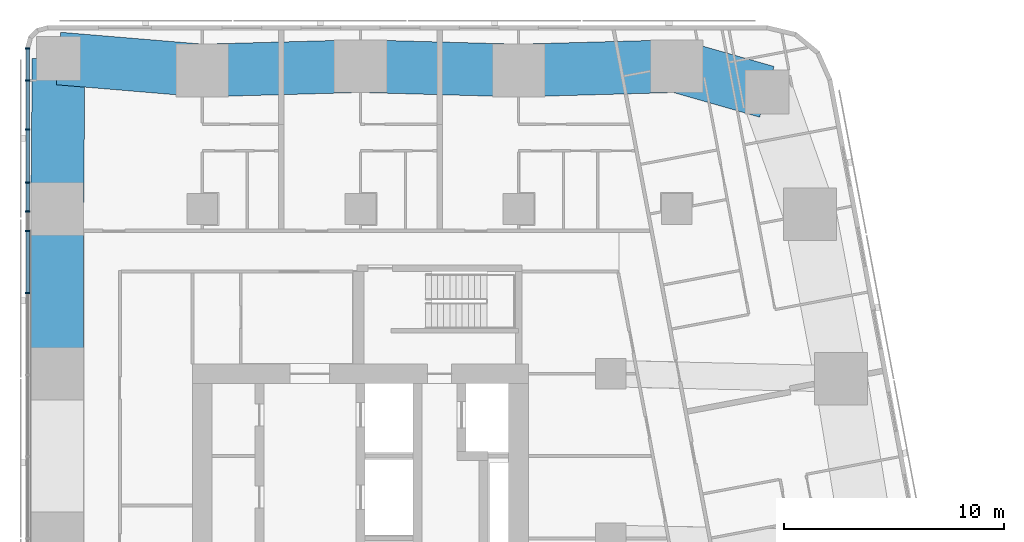
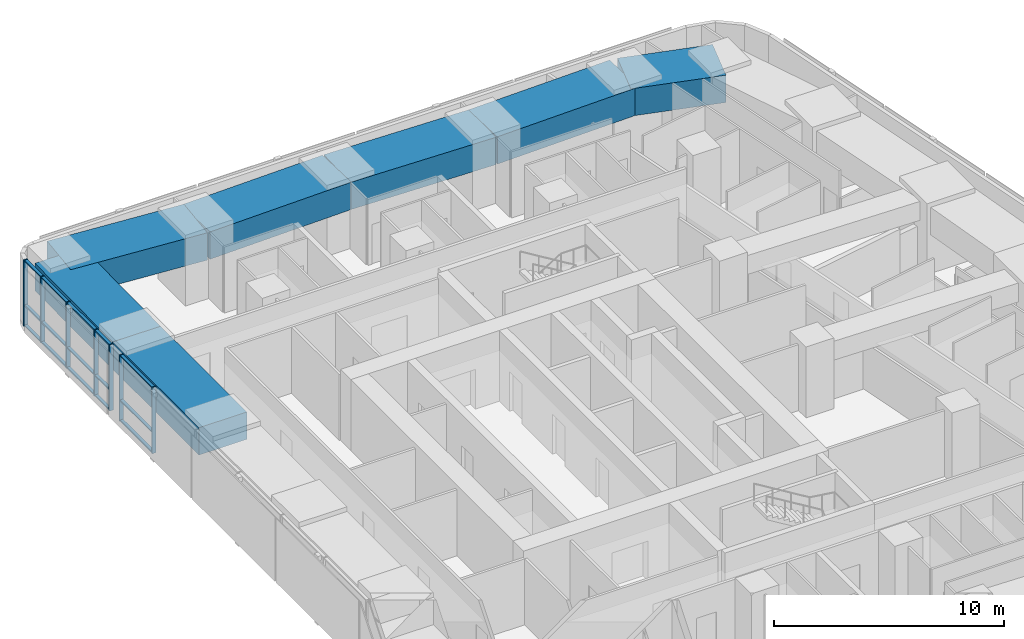
# One storey, part 5 of 17: 22 members, 7 beams, 1 element without a shape of its own.
"""IFC4 building model written with IfcOpenShell, lengths in metres."""

from ifc_helpers import new_model, si_unit, direction, frame, origin, origin_2d, place, context, subcontext, project, spatial, rectangle, extrude, material, material_profile, profile_set, type_object, element, aggregate, save


model = new_model("IFC4")

# Units and contexts
model_context = context("Model", 3, precision=1e-05, world=origin(), true_north=direction((0.0, 1.0)))
body_context = subcontext(model_context, "Body", "Model", "MODEL_VIEW")
ifc_project = project(units=[si_unit("LENGTHUNIT", "METRE"), si_unit("AREAUNIT", "SQUARE_METRE"), si_unit("VOLUMEUNIT", "CUBIC_METRE"), si_unit("PLANEANGLEUNIT", "RADIAN"), si_unit("MASSUNIT", "GRAM", prefix="KILO")], contexts=[model_context])

# Site, building, storey
site_placement = place(None, origin())
site = spatial("IfcSite", under=ifc_project, at=site_placement, CompositionType="ELEMENT")
building_placement = place(site_placement, origin())
building = spatial("IfcBuilding", under=site, at=building_placement, Name="Sheger Commons Tower", CompositionType="ELEMENT")
storey_placement = place(building_placement, frame((0.0, 0.0, 208.699951171875)))
storey = spatial("IfcBuildingStorey", under=building, at=storey_placement, Name="L53", CompositionType="ELEMENT", Elevation=208.699951171875)

# Curtain wall, members
ifc_material_1 = material(Name="Black aluminium curtain wall, dark tinted glazing", Category="aluminium")
curtain_wall_type = type_object("IfcCurtainWallType", Name="CURTAIN WALL CW4 GALLERY", PredefinedType="USERDEFINED", material=ifc_material_1)
curtain_wall_placement = place(storey_placement, origin())
curtain_wall = element("IfcCurtainWall", 1, at=curtain_wall_placement, inside=storey, type_object=curtain_wall_type, Name="Curtain Wall Cw4 Gallery W1 L53", ObjectType="UNITISED CURTAIN WALL", PredefinedType="USERDEFINED")
ifc_material_2 = material(Name="Black anodised aluminium", Category="aluminium")
ifc_material_profile_1 = material_profile(ifc_material_2, rectangle(XDim=0.199951171875, YDim=0.06494140625, at=origin_2d()), Name="AL 65x200")
ifc_profile_set_1 = profile_set([ifc_material_profile_1], Name="Black anodised aluminium")
member_type_1 = type_object("IfcMemberType", Name="MULLION AL 65x200", PredefinedType="MULLION", material=ifc_profile_set_1)
member_1_placement = place(storey_placement, frame((6.449951171875, 44.804443359375, 0.0), z_axis=(0.0, 0.0, 1.0), x_axis=(1.0, 0.0, 0.0)))
member_1 = element("IfcMember", 2, at=member_1_placement, type_object=member_type_1, Name="CW4 mullion 1", PredefinedType="MULLION", context=body_context, shape_type="SweptSolid", body=[
    extrude(rectangle(XDim=0.199951171875, YDim=0.06494140625, at=origin_2d()), origin(), (0.0, 0.0, 1.0), 3.5),
])
member_2_placement = place(storey_placement, frame((6.449951171875, 43.345947265625, 0.0), z_axis=(0.0, 0.0, 1.0), x_axis=(1.0, 0.0, 0.0)))
member_2 = element("IfcMember", 3, at=member_2_placement, type_object=member_type_1, Name="CW4 mullion 2", PredefinedType="MULLION", context=body_context, shape_type="SweptSolid", body=[
    extrude(rectangle(XDim=0.199951171875, YDim=0.06494140625, at=origin_2d()), origin(), (0.0, 0.0, 1.0), 3.5),
])
member_3_placement = place(storey_placement, frame((6.449951171875, 41.114013671875, 0.0), z_axis=(0.0, 0.0, 1.0), x_axis=(1.0, 0.0, 0.0)))
member_3 = element("IfcMember", 4, at=member_3_placement, type_object=member_type_1, Name="CW4 mullion 3", PredefinedType="MULLION", context=body_context, shape_type="SweptSolid", body=[
    extrude(rectangle(XDim=0.199951171875, YDim=0.06494140625, at=origin_2d()), origin(), (0.0, 0.0, 1.0), 3.5),
])
member_4_placement = place(storey_placement, frame((6.449951171875, 38.699951171875, 0.0), z_axis=(0.0, 0.0, 1.0), x_axis=(1.0, 0.0, 0.0)))
member_4 = element("IfcMember", 5, at=member_4_placement, type_object=member_type_1, Name="CW4 mullion 4", PredefinedType="MULLION", context=body_context, shape_type="SweptSolid", body=[
    extrude(rectangle(XDim=0.199951171875, YDim=0.06494140625, at=origin_2d()), origin(), (0.0, 0.0, 1.0), 3.5),
])
member_5_placement = place(storey_placement, frame((6.449951171875, 37.39111328125, 0.0), z_axis=(0.0, 0.0, 1.0), x_axis=(1.0, 0.0, 0.0)))
member_5 = element("IfcMember", 6, at=member_5_placement, type_object=member_type_1, Name="CW4 mullion 5", PredefinedType="MULLION", context=body_context, shape_type="SweptSolid", body=[
    extrude(rectangle(XDim=0.199951171875, YDim=0.06494140625, at=origin_2d()), origin(), (0.0, 0.0, 1.0), 3.5),
])
member_6_placement = place(storey_placement, frame((6.449951171875, 36.5, 0.0), z_axis=(0.0, 0.0, 1.0), x_axis=(1.0, 0.0, 0.0)))
member_6 = element("IfcMember", 7, at=member_6_placement, type_object=member_type_1, Name="CW4 mullion 6", PredefinedType="MULLION", context=body_context, shape_type="SweptSolid", body=[
    extrude(rectangle(XDim=0.199951171875, YDim=0.06494140625, at=origin_2d()), origin(), (0.0, 0.0, 1.0), 3.5),
])
member_7_placement = place(storey_placement, frame((6.449951171875, 33.66796875, 0.0), z_axis=(0.0, 0.0, 1.0), x_axis=(1.0, 0.0, 0.0)))
member_7 = element("IfcMember", 8, at=member_7_placement, type_object=member_type_1, Name="CW4 mullion 7", PredefinedType="MULLION", context=body_context, shape_type="SweptSolid", body=[
    extrude(rectangle(XDim=0.199951171875, YDim=0.06494140625, at=origin_2d()), origin(), (0.0, 0.0, 1.0), 3.5),
])

# Beams
ifc_material_3 = material(Name="Concrete C50/60", Category="concrete")
ifc_material_profile_2 = material_profile(ifc_material_3, rectangle(XDim=2.39990234375, YDim=1.449951171875, at=origin_2d()), Name="RC 2400x1450")
ifc_profile_set_2 = profile_set([ifc_material_profile_2], Name="Concrete C50/60")
beam_type = type_object("IfcBeamType", Name="SPANDREL RC 2400x1450", PredefinedType="SPANDREL", material=ifc_profile_set_2)
beam_1_placement = place(storey_placement, frame((40.10205078125, 42.830078125, 2.775146484375), z_axis=(-0.961653428129, 0.274267541221, 0.0), x_axis=(-0.274267541221, -0.961653428129, 0.0)))
element("IfcBeam", 9, at=beam_1_placement, inside=storey, type_object=beam_type, Name="Beam 41.490,44.505-6/G under L54", PredefinedType="SPANDREL", context=body_context, shape_type="SweptSolid", body=[
    extrude(rectangle(XDim=2.39990234375, YDim=1.449951171875, at=origin_2d()), origin(), (0.0, 0.0, 1.0), 4.265625),
])
for number, where, z_axis, x_axis, name in (
    (10, (36.0, 44.0, 2.775146484375), (-0.999614603568, -0.027760481514, 0.0), (0.027760481514, -0.999614603568, 0.0), "Beam 6/G-5/G under L54"),
    (11, (28.800048828125, 43.800048828125, 2.775146484375), (-0.999614603568, 0.027760481514, 0.0), (-0.027760481514, -0.999614603568, 0.0), "Beam 5/G-4/G under L54"),
):
    element("IfcBeam", number, at=place(storey_placement, frame(where, z_axis=z_axis, x_axis=x_axis)), inside=storey, type_object=beam_type, Name=name, PredefinedType="SPANDREL", context=body_context, shape_type="SweptSolid", body=[
        extrude(rectangle(XDim=2.39990234375, YDim=1.449951171875, at=origin_2d()), origin(), (0.0, 0.0, 1.0), 7.20263671875),
    ])
beam_2_placement = place(storey_placement, frame((21.60009765625, 44.0, 2.775146484375), z_axis=(-0.999614629688, -0.027759540951, 0.0), x_axis=(0.027759540951, -0.999614629688, 0.0)))
element("IfcBeam", 12, at=beam_2_placement, inside=storey, type_object=beam_type, Name="Beam 4/G-3/G under L54", PredefinedType="SPANDREL", context=body_context, shape_type="SweptSolid", body=[
    extrude(rectangle(XDim=2.39990234375, YDim=1.449951171875, at=origin_2d()), origin(), (0.0, 0.0, 1.0), 7.202880859375),
])
beam_3_placement = place(storey_placement, frame((14.39990234375, 43.800048828125, 2.775146484375), z_axis=(-0.996540629765, 0.083106998663, 0.0), x_axis=(-0.083106998663, -0.996540629765, 0.0)))
element("IfcBeam", 13, at=beam_3_placement, inside=storey, type_object=beam_type, Name="Beam 3/G-2/G under L54", PredefinedType="SPANDREL", context=body_context, shape_type="SweptSolid", body=[
    extrude(rectangle(XDim=2.39990234375, YDim=1.449951171875, at=origin_2d()), origin(), (0.0, 0.0, 1.0), 6.568603515625),
])
beam_4_placement = place(storey_placement, frame((7.85400390625, 44.345947265625, 2.775146484375), z_axis=(-0.00788107188, -0.999968943871, 0.0), x_axis=(0.999968943871, -0.00788107188, 0.0)))
element("IfcBeam", 14, at=beam_4_placement, inside=storey, type_object=beam_type, Name="Beam 2/G-2/F under L54", PredefinedType="SPANDREL", context=body_context, shape_type="SweptSolid", body=[
    extrude(rectangle(XDim=2.39990234375, YDim=1.449951171875, at=origin_2d()), origin(), (0.0, 0.0, 1.0), 6.84619140625),
])
beam_5_placement = place(storey_placement, frame((7.800048828125, 37.5, 2.775146484375), z_axis=(0.0, -1.0, 0.0), x_axis=(1.0, 0.0, 0.0)))
element("IfcBeam", 15, at=beam_5_placement, inside=storey, type_object=beam_type, Name="Beam 2/F-2/E under L54", PredefinedType="SPANDREL", context=body_context, shape_type="SweptSolid", body=[
    extrude(rectangle(XDim=2.39990234375, YDim=1.449951171875, at=origin_2d()), origin(), (0.0, 0.0, 1.0), 7.5),
])

# Member
ifc_material_4 = material(Name="Black anodised aluminium", Category="aluminium")
ifc_material_profile_3 = material_profile(ifc_material_4, rectangle(XDim=0.14990234375, YDim=0.06494140625, at=origin_2d()), Name="AL 65x150")
ifc_profile_set_3 = profile_set([ifc_material_profile_3], Name="Black anodised aluminium")
member_type_2 = type_object("IfcMemberType", Name="TRANSOM AL 65x150", PredefinedType="USERDEFINED", material=ifc_profile_set_3)
member_8_placement = place(storey_placement, frame((6.449951171875, 44.77197265625, 0.032470703125), z_axis=(0.0, -1.0, 0.0), x_axis=(1.0, 0.0, 0.0)))
member_8 = element("IfcMember", 16, at=member_8_placement, type_object=member_type_2, Name="CW4 transom 1.1", ObjectType="TRANSOM", PredefinedType="USERDEFINED", context=body_context, shape_type="SweptSolid", body=[
    extrude(rectangle(XDim=0.14990234375, YDim=0.06494140625, at=origin_2d()), origin(), (0.0, 0.0, 1.0), 1.3935546875),
])

member_9_placement = place(storey_placement, frame((6.449951171875, 44.77197265625, 1.10009765625), z_axis=(0.0, -1.0, 0.0), x_axis=(1.0, 0.0, 0.0)))
member_9 = element("IfcMember", 17, at=member_9_placement, type_object=member_type_2, Name="CW4 transom 1.2", ObjectType="TRANSOM", PredefinedType="USERDEFINED", context=body_context, shape_type="SweptSolid", body=[
    extrude(rectangle(XDim=0.14990234375, YDim=0.06494140625, at=origin_2d()), origin(), (0.0, 0.0, 1.0), 1.3935546875),
])

member_10_placement = place(storey_placement, frame((6.449951171875, 44.77197265625, 3.467529296875), z_axis=(0.0, -1.0, 0.0), x_axis=(1.0, 0.0, 0.0)))
member_10 = element("IfcMember", 18, at=member_10_placement, type_object=member_type_2, Name="CW4 transom 1.3", ObjectType="TRANSOM", PredefinedType="USERDEFINED", context=body_context, shape_type="SweptSolid", body=[
    extrude(rectangle(XDim=0.14990234375, YDim=0.06494140625, at=origin_2d()), origin(), (0.0, 0.0, 1.0), 1.3935546875),
])

member_11_placement = place(storey_placement, frame((6.449951171875, 43.3134765625, 0.032470703125), z_axis=(0.0, -1.0, 0.0), x_axis=(1.0, 0.0, 0.0)))
member_11 = element("IfcMember", 19, at=member_11_placement, type_object=member_type_2, Name="CW4 transom 2.1", ObjectType="TRANSOM", PredefinedType="USERDEFINED", context=body_context, shape_type="SweptSolid", body=[
    extrude(rectangle(XDim=0.14990234375, YDim=0.06494140625, at=origin_2d()), origin(), (0.0, 0.0, 1.0), 2.1669921875),
])

member_12_placement = place(storey_placement, frame((6.449951171875, 43.3134765625, 1.10009765625), z_axis=(0.0, -1.0, 0.0), x_axis=(1.0, 0.0, 0.0)))
member_12 = element("IfcMember", 20, at=member_12_placement, type_object=member_type_2, Name="CW4 transom 2.2", ObjectType="TRANSOM", PredefinedType="USERDEFINED", context=body_context, shape_type="SweptSolid", body=[
    extrude(rectangle(XDim=0.14990234375, YDim=0.06494140625, at=origin_2d()), origin(), (0.0, 0.0, 1.0), 2.1669921875),
])

member_13_placement = place(storey_placement, frame((6.449951171875, 43.3134765625, 3.467529296875), z_axis=(0.0, -1.0, 0.0), x_axis=(1.0, 0.0, 0.0)))
member_13 = element("IfcMember", 21, at=member_13_placement, type_object=member_type_2, Name="CW4 transom 2.3", ObjectType="TRANSOM", PredefinedType="USERDEFINED", context=body_context, shape_type="SweptSolid", body=[
    extrude(rectangle(XDim=0.14990234375, YDim=0.06494140625, at=origin_2d()), origin(), (0.0, 0.0, 1.0), 2.1669921875),
])

member_14_placement = place(storey_placement, frame((6.449951171875, 41.08154296875, 0.032470703125), z_axis=(0.0, -1.0, 0.0), x_axis=(1.0, 0.0, 0.0)))
member_14 = element("IfcMember", 22, at=member_14_placement, type_object=member_type_2, Name="CW4 transom 3.1", ObjectType="TRANSOM", PredefinedType="USERDEFINED", context=body_context, shape_type="SweptSolid", body=[
    extrude(rectangle(XDim=0.14990234375, YDim=0.06494140625, at=origin_2d()), origin(), (0.0, 0.0, 1.0), 2.34912109375),
])

member_15_placement = place(storey_placement, frame((6.449951171875, 41.08154296875, 1.10009765625), z_axis=(0.0, -1.0, 0.0), x_axis=(1.0, 0.0, 0.0)))
member_15 = element("IfcMember", 23, at=member_15_placement, type_object=member_type_2, Name="CW4 transom 3.2", ObjectType="TRANSOM", PredefinedType="USERDEFINED", context=body_context, shape_type="SweptSolid", body=[
    extrude(rectangle(XDim=0.14990234375, YDim=0.06494140625, at=origin_2d()), origin(), (0.0, 0.0, 1.0), 2.34912109375),
])

member_16_placement = place(storey_placement, frame((6.449951171875, 41.08154296875, 3.467529296875), z_axis=(0.0, -1.0, 0.0), x_axis=(1.0, 0.0, 0.0)))
member_16 = element("IfcMember", 24, at=member_16_placement, type_object=member_type_2, Name="CW4 transom 3.3", ObjectType="TRANSOM", PredefinedType="USERDEFINED", context=body_context, shape_type="SweptSolid", body=[
    extrude(rectangle(XDim=0.14990234375, YDim=0.06494140625, at=origin_2d()), origin(), (0.0, 0.0, 1.0), 2.34912109375),
])

member_17_placement = place(storey_placement, frame((6.449951171875, 38.66748046875, 0.032470703125), z_axis=(0.0, -1.0, 0.0), x_axis=(1.0, 0.0, 0.0)))
member_17 = element("IfcMember", 25, at=member_17_placement, type_object=member_type_2, Name="CW4 transom 4.1", ObjectType="TRANSOM", PredefinedType="USERDEFINED", context=body_context, shape_type="SweptSolid", body=[
    extrude(rectangle(XDim=0.14990234375, YDim=0.06494140625, at=origin_2d()), origin(), (0.0, 0.0, 1.0), 1.243896484375),
])

member_18_placement = place(storey_placement, frame((6.449951171875, 38.66748046875, 1.10009765625), z_axis=(0.0, -1.0, 0.0), x_axis=(1.0, 0.0, 0.0)))
member_18 = element("IfcMember", 26, at=member_18_placement, type_object=member_type_2, Name="CW4 transom 4.2", ObjectType="TRANSOM", PredefinedType="USERDEFINED", context=body_context, shape_type="SweptSolid", body=[
    extrude(rectangle(XDim=0.14990234375, YDim=0.06494140625, at=origin_2d()), origin(), (0.0, 0.0, 1.0), 1.243896484375),
])

member_19_placement = place(storey_placement, frame((6.449951171875, 38.66748046875, 3.467529296875), z_axis=(0.0, -1.0, 0.0), x_axis=(1.0, 0.0, 0.0)))
member_19 = element("IfcMember", 27, at=member_19_placement, type_object=member_type_2, Name="CW4 transom 4.3", ObjectType="TRANSOM", PredefinedType="USERDEFINED", context=body_context, shape_type="SweptSolid", body=[
    extrude(rectangle(XDim=0.14990234375, YDim=0.06494140625, at=origin_2d()), origin(), (0.0, 0.0, 1.0), 1.243896484375),
])

member_20_placement = place(storey_placement, frame((6.449951171875, 36.467529296875, 0.032470703125), z_axis=(0.0, -1.0, 0.0), x_axis=(1.0, 0.0, 0.0)))
member_20 = element("IfcMember", 28, at=member_20_placement, type_object=member_type_2, Name="CW4 transom 6.1", ObjectType="TRANSOM", PredefinedType="USERDEFINED", context=body_context, shape_type="SweptSolid", body=[
    extrude(rectangle(XDim=0.14990234375, YDim=0.06494140625, at=origin_2d()), origin(), (0.0, 0.0, 1.0), 2.76708984375),
])

member_21_placement = place(storey_placement, frame((6.449951171875, 36.467529296875, 1.10009765625), z_axis=(0.0, -1.0, 0.0), x_axis=(1.0, 0.0, 0.0)))
member_21 = element("IfcMember", 29, at=member_21_placement, type_object=member_type_2, Name="CW4 transom 6.2", ObjectType="TRANSOM", PredefinedType="USERDEFINED", context=body_context, shape_type="SweptSolid", body=[
    extrude(rectangle(XDim=0.14990234375, YDim=0.06494140625, at=origin_2d()), origin(), (0.0, 0.0, 1.0), 2.76708984375),
])

member_22_placement = place(storey_placement, frame((6.449951171875, 36.467529296875, 3.467529296875), z_axis=(0.0, -1.0, 0.0), x_axis=(1.0, 0.0, 0.0)))
member_22 = element("IfcMember", 30, at=member_22_placement, type_object=member_type_2, Name="CW4 transom 6.3", ObjectType="TRANSOM", PredefinedType="USERDEFINED", context=body_context, shape_type="SweptSolid", body=[
    extrude(rectangle(XDim=0.14990234375, YDim=0.06494140625, at=origin_2d()), origin(), (0.0, 0.0, 1.0), 2.76708984375),
])

aggregate(curtain_wall, [member_1, member_2, member_3, member_4, member_5, member_6, member_7, member_8, member_9, member_10, member_11, member_12, member_13, member_14, member_15, member_16, member_17, member_18, member_19, member_20, member_21, member_22])

save(model, "model.ifc")
